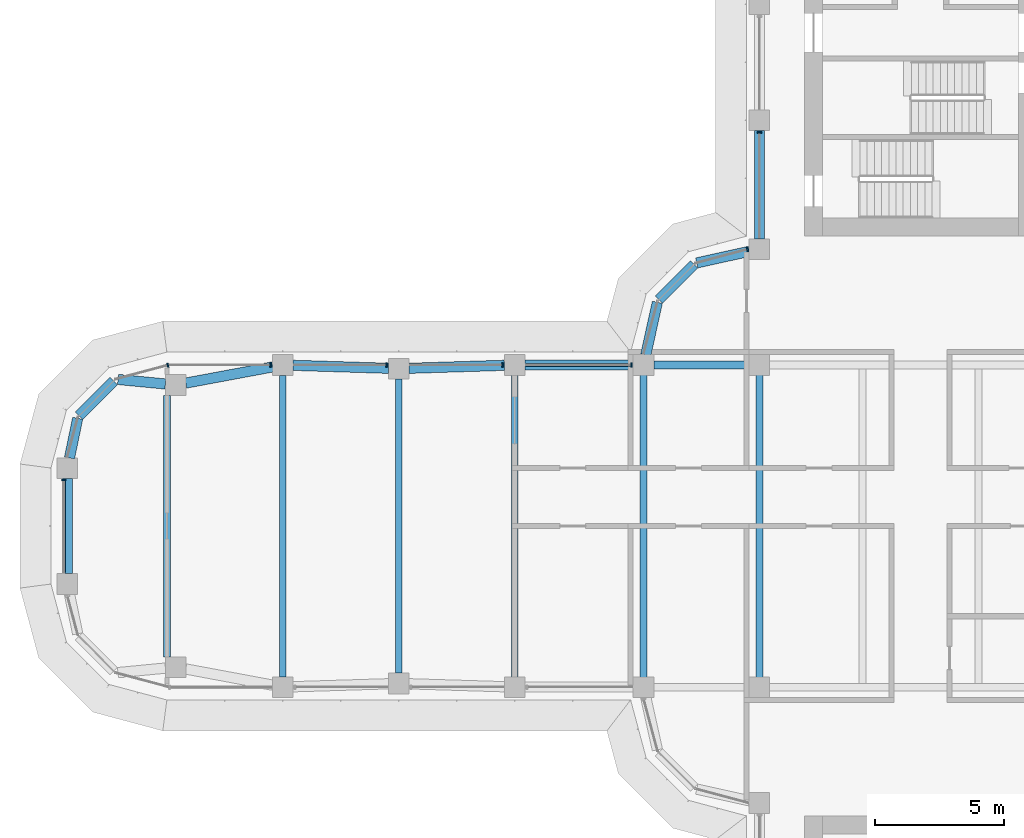
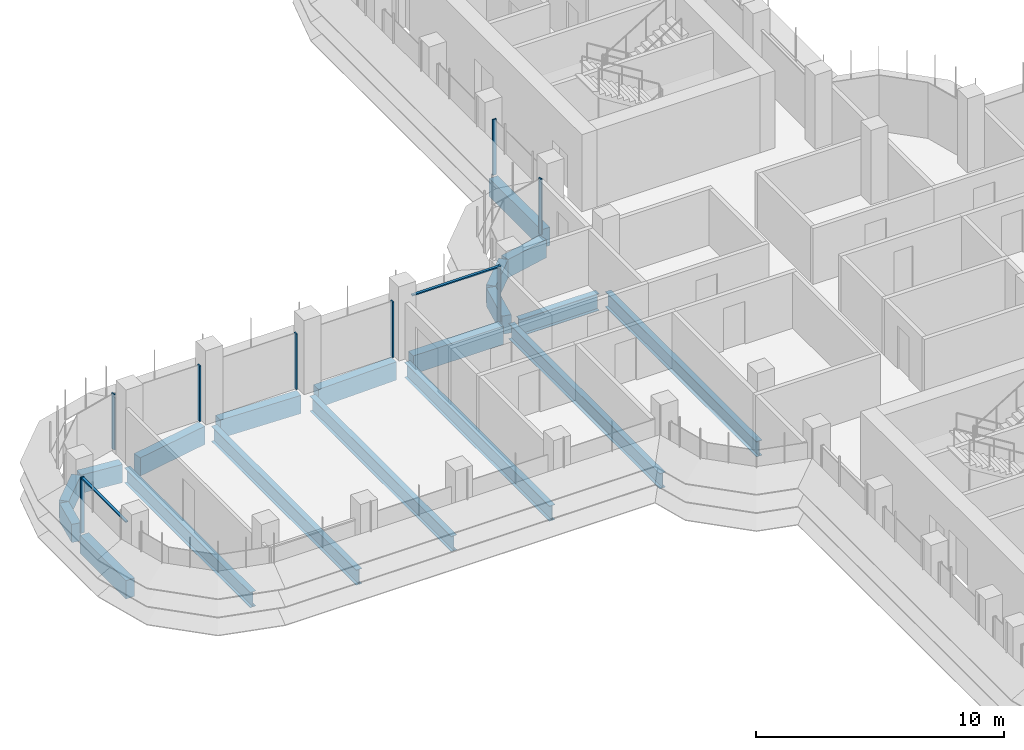
# One storey, part 6 of 20: 19 beams, 10 members, 5 elements without a shape of their own.
"""IFC4 building model written with IfcOpenShell, lengths in metres."""

from ifc_helpers import new_model, si_unit, direction, frame, origin, origin_2d, place, context, subcontext, project, spatial, polyline, rectangle, i_section, outline, extrude, source, transform, mapped, material, material_profile, profile_set, type_object, element, aggregate, save


model = new_model("IFC4")

# Units and contexts
model_context = context("Model", 3, precision=1e-05, world=origin(), true_north=direction((0.0, 1.0)))
body_context = subcontext(model_context, "Body", "Model", "MODEL_VIEW")
ifc_project = project(units=[si_unit("LENGTHUNIT", "METRE"), si_unit("AREAUNIT", "SQUARE_METRE"), si_unit("VOLUMEUNIT", "CUBIC_METRE"), si_unit("PLANEANGLEUNIT", "RADIAN"), si_unit("MASSUNIT", "GRAM", prefix="KILO")], contexts=[model_context])

# Site, building, storey
site_placement = place(None, origin())
site = spatial("IfcSite", under=ifc_project, at=site_placement, CompositionType="ELEMENT")
building_placement = place(site_placement, origin())
building = spatial("IfcBuilding", under=site, at=building_placement, Name="Zarbagh Exchange Tower", CompositionType="ELEMENT")
storey_placement = place(building_placement, frame((0.0, 0.0, 144.800048828125)))
storey = spatial("IfcBuildingStorey", under=building, at=storey_placement, Name="L34", CompositionType="ELEMENT", Elevation=144.800048828125)

# Beams
ifc_material_1 = material(Name="Steel ASTM A992 Gr 50", Category="steel")
ifc_material_profile_1 = material_profile(ifc_material_1, i_section(OverallWidth=0.26416015625, OverallDepth=0.749267578125, WebThickness=0.011962890625, FlangeThickness=0.015380859375, at=origin_2d()), Name="W30X90")
ifc_profile_set_1 = profile_set([ifc_material_profile_1], Name="Steel ASTM A992 Gr 50")
beam_type_1 = type_object("IfcBeamType", Name="Floor beam W30X90", PredefinedType="BEAM", material=ifc_profile_set_1)
for number, where, z_axis, x_axis, name in (
    (1, (-10.75, -6.10400390625, -0.524658203125), (0.0, 1.0, 0.0), (-1.0, 0.0, 0.0), "Steel floor beam"),
    (2, (-6.25, -6.10400390625, -0.524658203125), (0.0, 1.0, 0.0), (-1.0, 0.0, 0.0), "Steel floor beam"),
):
    element("IfcBeam", number, at=place(storey_placement, frame(where, z_axis=z_axis, x_axis=x_axis)), inside=storey, type_object=beam_type_1, Name=name, PredefinedType="BEAM", context=body_context, shape_type="SweptSolid", body=[
        extrude(i_section(OverallWidth=0.26416015625, OverallDepth=0.749267578125, WebThickness=0.011962890625, FlangeThickness=0.015380859375, at=origin_2d()), origin(), (0.0, 0.0, 1.0), 12.2080078125),
    ])
beam_1_placement = place(storey_placement, frame((-15.75, -5.85009765625, -0.524658203125), z_axis=(0.0, 1.0, 0.0), x_axis=(-1.0, 0.0, 0.0)))
element("IfcBeam", 3, at=beam_1_placement, inside=storey, type_object=beam_type_1, Name="Steel floor beam", PredefinedType="BEAM", context=body_context, shape_type="SweptSolid", body=[
    extrude(i_section(OverallWidth=0.26416015625, OverallDepth=0.749267578125, WebThickness=0.011962890625, FlangeThickness=0.015380859375, at=origin_2d()), origin(), (0.0, 0.0, 1.0), 11.7001953125),
])
beam_2_placement = place(storey_placement, frame((-20.25, -5.7099609375, -0.524658203125), z_axis=(0.0, 1.0, 0.0), x_axis=(-1.0, 0.0, 0.0)))
element("IfcBeam", 4, at=beam_2_placement, inside=storey, type_object=beam_type_1, Name="Steel floor beam", PredefinedType="BEAM", context=body_context, shape_type="SweptSolid", body=[
    extrude(i_section(OverallWidth=0.26416015625, OverallDepth=0.749267578125, WebThickness=0.011962890625, FlangeThickness=0.015380859375, at=origin_2d()), origin(), (0.0, 0.0, 1.0), 11.419921875),
])
beam_3_placement = place(storey_placement, frame((-24.75, -5.85009765625, -0.524658203125), z_axis=(0.0, 1.0, 0.0), x_axis=(-1.0, 0.0, 0.0)))
element("IfcBeam", 5, at=beam_3_placement, inside=storey, type_object=beam_type_1, Name="Steel floor beam", PredefinedType="BEAM", context=body_context, shape_type="SweptSolid", body=[
    extrude(i_section(OverallWidth=0.26416015625, OverallDepth=0.749267578125, WebThickness=0.011962890625, FlangeThickness=0.015380859375, at=origin_2d()), origin(), (0.0, 0.0, 1.0), 11.7001953125),
])
beam_4_placement = place(storey_placement, frame((-29.25, -5.074951171875, -0.524658203125), z_axis=(0.0, 1.0, 0.0), x_axis=(-1.0, 0.0, 0.0)))
element("IfcBeam", 6, at=beam_4_placement, inside=storey, type_object=beam_type_1, Name="Steel floor beam", PredefinedType="BEAM", context=body_context, shape_type="SweptSolid", body=[
    extrude(i_section(OverallWidth=0.26416015625, OverallDepth=0.749267578125, WebThickness=0.011962890625, FlangeThickness=0.015380859375, at=origin_2d()), origin(), (0.0, 0.0, 1.0), 10.14990234375),
])
ifc_material_profile_2 = material_profile(ifc_material_1, i_section(OverallWidth=0.2919921875, OverallDepth=0.835693359375, WebThickness=0.013916015625, FlangeThickness=0.018798828125, at=origin_2d()), Name="W33X118")
ifc_profile_set_2 = profile_set([ifc_material_profile_2], Name="Steel ASTM A992 Gr 50")
beam_type_2 = type_object("IfcBeamType", Name="Floor girder W33X118", PredefinedType="BEAM", material=ifc_profile_set_2)
beam_5_placement = place(storey_placement, frame((-10.35009765625, 6.25, -0.56787109375), z_axis=(1.0, 0.0, 0.0), x_axis=(0.0, 1.0, 0.0)))
element("IfcBeam", 7, at=beam_5_placement, inside=storey, type_object=beam_type_2, Name="Steel girder", PredefinedType="BEAM", context=body_context, shape_type="SweptSolid", body=[
    extrude(i_section(OverallWidth=0.2919921875, OverallDepth=0.835693359375, WebThickness=0.013916015625, FlangeThickness=0.018798828125, at=origin_2d()), origin(), (0.0, 0.0, 1.0), 3.7001953125),
])
ifc_material_2 = material(Name="Concrete C50/60", Category="concrete")
ifc_material_profile_3 = material_profile(ifc_material_2, rectangle(XDim=0.39990234375, YDim=0.89990234375, at=origin_2d()), Name="RC spandrel beam 400 x 900 C50/60")
ifc_profile_set_3 = profile_set([ifc_material_profile_3], Name="Concrete C50/60")
beam_type_3 = type_object("IfcBeamType", Name="RC spandrel beam 400 x 900 C50/60", PredefinedType="SPANDREL", material=ifc_profile_set_3)
beam_6_placement = place(storey_placement, frame((-33.110107421875, -1.85009765625, -0.60009765625), z_axis=(0.0, 1.0, 0.0), x_axis=(-1.0, 0.0, 0.0)))
element("IfcBeam", 8, at=beam_6_placement, inside=storey, type_object=beam_type_3, Name="RC spandrel beam", PredefinedType="SPANDREL", context=body_context, shape_type="SweptSolid", body=[
    extrude(rectangle(XDim=0.39990234375, YDim=0.89990234375, at=origin_2d()), origin(), (0.0, 0.0, 1.0), 3.7001953125),
])
beam_7_placement = place(storey_placement, frame((-33.029052734375, 2.6416015625, -0.60009765625), z_axis=(0.20216948151, 0.979350550491, 0.0), x_axis=(-0.979350550491, 0.20216948151, 0.0)))
element("IfcBeam", 9, at=beam_7_placement, inside=storey, type_object=beam_type_3, Name="RC spandrel beam", PredefinedType="SPANDREL", context=body_context, shape_type="SweptSolid", body=[
    extrude(rectangle(XDim=0.39990234375, YDim=0.89990234375, at=origin_2d()), origin(), (0.0, 0.0, 1.0), 1.573486328125),
])
beam_8_placement = place(storey_placement, frame((-32.656494140625, 4.283447265625, -0.60009765625), z_axis=(0.707106781187, 0.707106781187, 0.0), x_axis=(-0.707106781187, 0.707106781187, 0.0)))
element("IfcBeam", 10, at=beam_8_placement, inside=storey, type_object=beam_type_3, Name="RC spandrel beam", PredefinedType="SPANDREL", context=body_context, shape_type="SweptSolid", body=[
    extrude(rectangle(XDim=0.39990234375, YDim=0.89990234375, at=origin_2d()), origin(), (0.0, 0.0, 1.0), 1.9072265625),
])
beam_9_placement = place(storey_placement, frame((-31.147216796875, 5.689697265625, -0.60009765625), z_axis=(0.995435353267, -0.095438239015, 0.0), x_axis=(0.095438239015, 0.995435353267, 0.0)))
element("IfcBeam", 11, at=beam_9_placement, inside=storey, type_object=beam_type_3, Name="RC spandrel beam", PredefinedType="SPANDREL", context=body_context, shape_type="SweptSolid", body=[
    extrude(rectangle(XDim=0.39990234375, YDim=0.89990234375, at=origin_2d()), origin(), (0.0, 0.0, 1.0), 1.849609375),
])
beam_10_placement = place(storey_placement, frame((-28.514892578125, 5.54833984375, -0.60009765625), z_axis=(0.983069862768, 0.183231124313, 0.0), x_axis=(-0.183231124313, 0.983069862768, 0.0)))
element("IfcBeam", 12, at=beam_10_placement, inside=storey, type_object=beam_type_3, Name="RC spandrel beam", PredefinedType="SPANDREL", context=body_context, shape_type="SweptSolid", body=[
    extrude(rectangle(XDim=0.39990234375, YDim=0.89990234375, at=origin_2d()), origin(), (0.0, 0.0, 1.0), 3.4296875),
])
for number, where, z_axis, x_axis, name in (
    (13, (-24.35009765625, 6.237548828125, -0.60009765625), (0.999515416033, -0.031127690444, 0.0), (0.031127690444, 0.999515416033, 0.0), "RC spandrel beam"),
    (14, (-19.85009765625, 6.122314453125, -0.60009765625), (0.999515416033, 0.031127690444, 0.0), (-0.031127690444, 0.999515416033, 0.0), "RC spandrel beam"),
):
    element("IfcBeam", number, at=place(storey_placement, frame(where, z_axis=z_axis, x_axis=x_axis)), inside=storey, type_object=beam_type_3, Name=name, PredefinedType="SPANDREL", context=body_context, shape_type="SweptSolid", body=[
        extrude(rectangle(XDim=0.39990234375, YDim=0.89990234375, at=origin_2d()), origin(), (0.0, 0.0, 1.0), 3.701904296875),
    ])
beam_11_placement = place(storey_placement, frame((-15.35009765625, 6.25, -0.60009765625), z_axis=(1.0, 0.0, 0.0), x_axis=(0.0, 1.0, 0.0)))
element("IfcBeam", 15, at=beam_11_placement, inside=storey, type_object=beam_type_3, Name="RC spandrel beam", PredefinedType="SPANDREL", context=body_context, shape_type="SweptSolid", body=[
    extrude(rectangle(XDim=0.39990234375, YDim=0.89990234375, at=origin_2d()), origin(), (0.0, 0.0, 1.0), 4.2001953125),
])
beam_12_placement = place(storey_placement, frame((-10.66357421875, 6.640625, -0.60009765625), z_axis=(0.216041061437, 0.976384278741, 0.0), x_axis=(-0.976384278741, 0.216041061437, 0.0)))
element("IfcBeam", 16, at=beam_12_placement, inside=storey, type_object=beam_type_3, Name="RC spandrel beam", PredefinedType="SPANDREL", context=body_context, shape_type="SweptSolid", body=[
    extrude(rectangle(XDim=0.39990234375, YDim=0.89990234375, at=origin_2d()), origin(), (0.0, 0.0, 1.0), 2.0927734375),
])
beam_13_placement = place(storey_placement, frame((-10.15771484375, 8.782470703125, -0.60009765625), z_axis=(0.707106781187, 0.707106781187, 0.0), x_axis=(-0.707106781187, 0.707106781187, 0.0)))
element("IfcBeam", 17, at=beam_13_placement, inside=storey, type_object=beam_type_3, Name="RC spandrel beam", PredefinedType="SPANDREL", context=body_context, shape_type="SweptSolid", body=[
    extrude(rectangle(XDim=0.39990234375, YDim=0.89990234375, at=origin_2d()), origin(), (0.0, 0.0, 1.0), 1.94482421875),
])
beam_14_placement = place(storey_placement, frame((-8.68408203125, 10.21142578125, -0.60009765625), z_axis=(0.976384278741, 0.216041061437, 0.0), x_axis=(-0.216041061437, 0.976384278741, 0.0)))
element("IfcBeam", 18, at=beam_14_placement, inside=storey, type_object=beam_type_3, Name="RC spandrel beam", PredefinedType="SPANDREL", context=body_context, shape_type="SweptSolid", body=[
    extrude(rectangle(XDim=0.39990234375, YDim=0.89990234375, at=origin_2d()), origin(), (0.0, 0.0, 1.0), 2.0927734375),
])
beam_15_placement = place(storey_placement, frame((-6.25, 11.14990234375, -0.60009765625), z_axis=(0.0, 1.0, 0.0), x_axis=(-1.0, 0.0, 0.0)))
element("IfcBeam", 19, at=beam_15_placement, inside=storey, type_object=beam_type_3, Name="RC spandrel beam", PredefinedType="SPANDREL", context=body_context, shape_type="SweptSolid", body=[
    extrude(rectangle(XDim=0.39990234375, YDim=0.89990234375, at=origin_2d()), origin(), (0.0, 0.0, 1.0), 4.2001953125),
])

# Curtain wall, member
ifc_material_3 = material(Name="Anodised aluminium frame and glazing", Category="aluminium")
curtain_wall_type = type_object("IfcCurtainWallType", Name="CWB Ribbon glazing, upper zones", PredefinedType="NOTDEFINED", material=ifc_material_3)
curtain_wall_1_placement = place(storey_placement, origin())
curtain_wall_1 = element("IfcCurtainWall", 20, at=curtain_wall_1_placement, inside=storey, type_object=curtain_wall_type, Name="CWB28 curtain wall", PredefinedType="NOTDEFINED")
ifc_material_4 = material(Name="Anodised aluminium frame", Category="aluminium")
member_type_1 = type_object("IfcMemberType", Name="MUB Mullion, anodised aluminium frame", PredefinedType="MULLION", material=ifc_material_4)
shared_shape_1 = source(origin(), body_context, "Body", "SweptSolid", [
    extrude(outline(polyline([(0.0, -0.080078125), (0.06005859375, -0.080078125), (0.06005859375, 0.080078125), (0.0, 0.080078125), (0.0, -0.080078125)])), origin(), (0.0, 0.0, 1.0), 2.75),
])
placement = place(storey_placement, origin())
member_1 = element("IfcMember", 21, at=placement, type_object=member_type_1, Name="CWB28 mullion 4.1", PredefinedType="MULLION", context=body_context, shape_type="MappedRepresentation", body=[
    mapped(shared_shape_1, transform((-6.25, 15.31005859375, 0.0), x_axis=(0.0, -1.0, 0.0), y_axis=(1.0, 0.0, 0.0), z_axis=(0.0, 0.0, 1.0))),
])
aggregate(curtain_wall_1, [member_1])

curtain_wall_2_placement = place(storey_placement, origin())
curtain_wall_2 = element("IfcCurtainWall", 22, at=curtain_wall_2_placement, inside=storey, type_object=curtain_wall_type, Name="CWB29 curtain wall", PredefinedType="NOTDEFINED")
member_2 = element("IfcMember", 23, at=placement, type_object=member_type_1, Name="CWB29 mullion 1.1", PredefinedType="MULLION", context=body_context, shape_type="MappedRepresentation", body=[
    mapped(shared_shape_1, transform((-6.68994140625, 10.74853515625, 0.0), x_axis=(-0.965924289636, -0.258824779902, 0.0), y_axis=(0.258824779902, -0.965924289636, 0.0), z_axis=(0.0, 0.0, 1.0))),
])
aggregate(curtain_wall_2, [member_2])

# Curtain wall, members
curtain_wall_3_placement = place(storey_placement, origin())
curtain_wall_3 = element("IfcCurtainWall", 24, at=curtain_wall_3_placement, inside=storey, type_object=curtain_wall_type, Name="CWB32 curtain wall", PredefinedType="NOTDEFINED")
member_3 = element("IfcMember", 25, at=placement, type_object=member_type_1, Name="CWB32 mullion 1.1", PredefinedType="MULLION", context=body_context, shape_type="MappedRepresentation", body=[
    mapped(shared_shape_1, transform((-11.18994140625, 6.25, 0.0), x_axis=(-1.0, 0.0, 0.0), y_axis=(0.0, -1.0, 0.0), z_axis=(0.0, 0.0, 1.0))),
])
member_4 = element("IfcMember", 26, at=placement, type_object=member_type_1, Name="CWB32 mullion 2.1", PredefinedType="MULLION", context=body_context, shape_type="MappedRepresentation", body=[
    mapped(shared_shape_1, transform((-16.18994140625, 6.25, 0.0), x_axis=(-1.0, 0.0, 0.0), y_axis=(0.0, -1.0, 0.0), z_axis=(0.0, 0.0, 1.0))),
])
member_5 = element("IfcMember", 27, at=placement, type_object=member_type_1, Name="CWB32 mullion 3.1", PredefinedType="MULLION", context=body_context, shape_type="MappedRepresentation", body=[
    mapped(shared_shape_1, transform((-20.68994140625, 6.25, 0.0), x_axis=(-1.0, 0.0, 0.0), y_axis=(0.0, -1.0, 0.0), z_axis=(0.0, 0.0, 1.0))),
])
member_6 = element("IfcMember", 28, at=placement, type_object=member_type_1, Name="CWB32 mullion 4.1", PredefinedType="MULLION", context=body_context, shape_type="MappedRepresentation", body=[
    mapped(shared_shape_1, transform((-25.18994140625, 6.25, 0.0), x_axis=(-1.0, 0.0, 0.0), y_axis=(0.0, -1.0, 0.0), z_axis=(0.0, 0.0, 1.0))),
])

# Curtain wall, member
curtain_wall_4_placement = place(storey_placement, origin())
curtain_wall_4 = element("IfcCurtainWall", 29, at=curtain_wall_4_placement, inside=storey, type_object=curtain_wall_type, Name="CWB33 curtain wall", PredefinedType="NOTDEFINED")
member_7 = element("IfcMember", 30, at=placement, type_object=member_type_1, Name="CWB33 mullion 1.1", PredefinedType="MULLION", context=body_context, shape_type="MappedRepresentation", body=[
    mapped(shared_shape_1, transform((-29.18408203125, 6.25, 0.0), x_axis=(-0.965924289636, -0.258824779902, 0.0), y_axis=(0.258824779902, -0.965924289636, 0.0), z_axis=(0.0, 0.0, 1.0))),
])
aggregate(curtain_wall_4, [member_7])

curtain_wall_5_placement = place(storey_placement, origin())
curtain_wall_5 = element("IfcCurtainWall", 31, at=curtain_wall_5_placement, inside=storey, type_object=curtain_wall_type, Name="CWB36 curtain wall", PredefinedType="NOTDEFINED")
member_8 = element("IfcMember", 32, at=placement, type_object=member_type_1, Name="CWB36 mullion 1.1", PredefinedType="MULLION", context=body_context, shape_type="MappedRepresentation", body=[
    mapped(shared_shape_1, transform((-33.25, 1.81005859375, 0.0), x_axis=(0.0, -1.0, 0.0), y_axis=(1.0, 0.0, 0.0), z_axis=(0.0, 0.0, 1.0))),
])

# Member
member_type_2 = type_object("IfcMemberType", Name="TRB Transom, anodised aluminium frame", PredefinedType="USERDEFINED", material=ifc_material_4)
shared_shape_2 = source(origin(), body_context, "Body", "SweptSolid", [
    extrude(outline(polyline([(-0.06005859375, -0.06005859375), (0.0, -0.06005859375), (0.0, 0.06005859375), (-0.06005859375, 0.06005859375), (-0.06005859375, -0.06005859375)])), origin(), (0.0, 0.0, 1.0), 4.06005859375),
])
member_9 = element("IfcMember", 33, at=placement, type_object=member_type_2, Name="CWB32 transom 1.1", ObjectType="TRANSOM", PredefinedType="USERDEFINED", context=body_context, shape_type="MappedRepresentation", body=[
    mapped(shared_shape_2, transform((-11.25, 6.25, 2.75), x_axis=(0.0, 0.0, 1.0), y_axis=(0.0, 1.0, 0.0), z_axis=(-1.0, 0.0, 0.0))),
])

aggregate(curtain_wall_3, [member_3, member_9, member_4, member_5, member_6])

shared_shape_3 = source(origin(), body_context, "Body", "SweptSolid", [
    extrude(outline(polyline([(-0.06005859375, -0.06005859375), (0.0, -0.06005859375), (0.0, 0.06005859375), (-0.06005859375, 0.06005859375), (-0.06005859375, -0.06005859375)])), origin(), (0.0, 0.0, 1.0), 3.56005859375),
])
member_10 = element("IfcMember", 34, at=placement, type_object=member_type_2, Name="CWB36 transom 1.1", ObjectType="TRANSOM", PredefinedType="USERDEFINED", context=body_context, shape_type="MappedRepresentation", body=[
    mapped(shared_shape_3, transform((-33.25, 1.75, 2.75), x_axis=(0.0, 0.0, 1.0), y_axis=(-1.0, 0.0, 0.0), z_axis=(0.0, -1.0, 0.0))),
])

aggregate(curtain_wall_5, [member_8, member_10])

save(model, "model.ifc")
